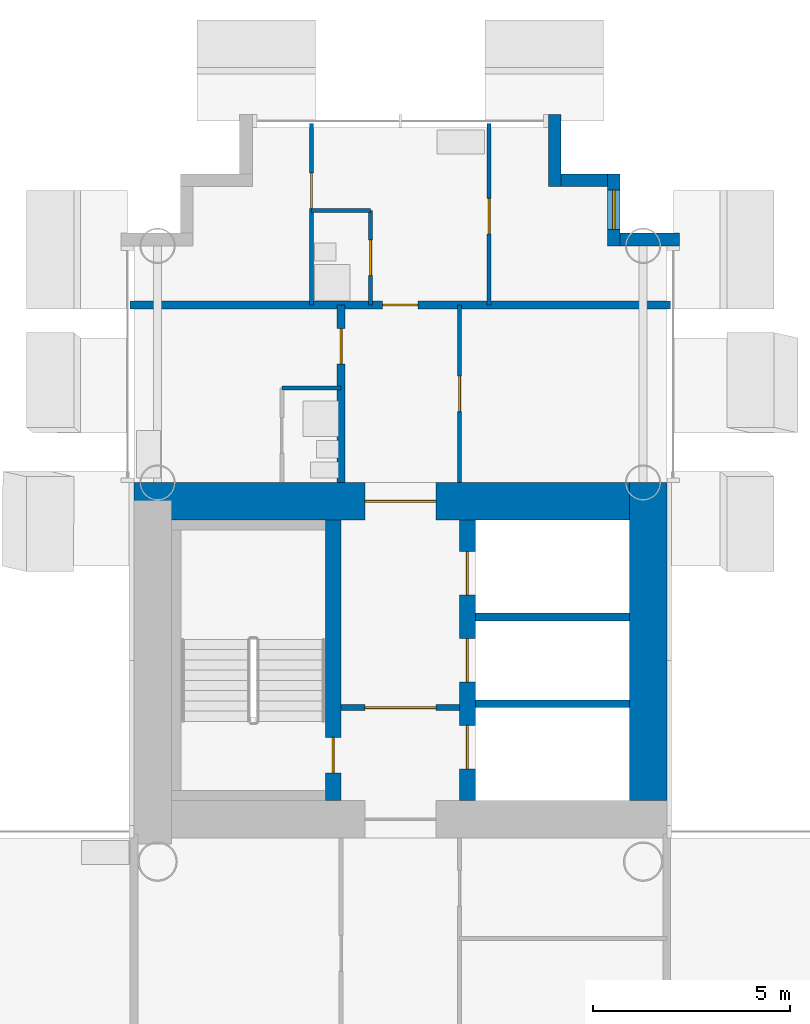
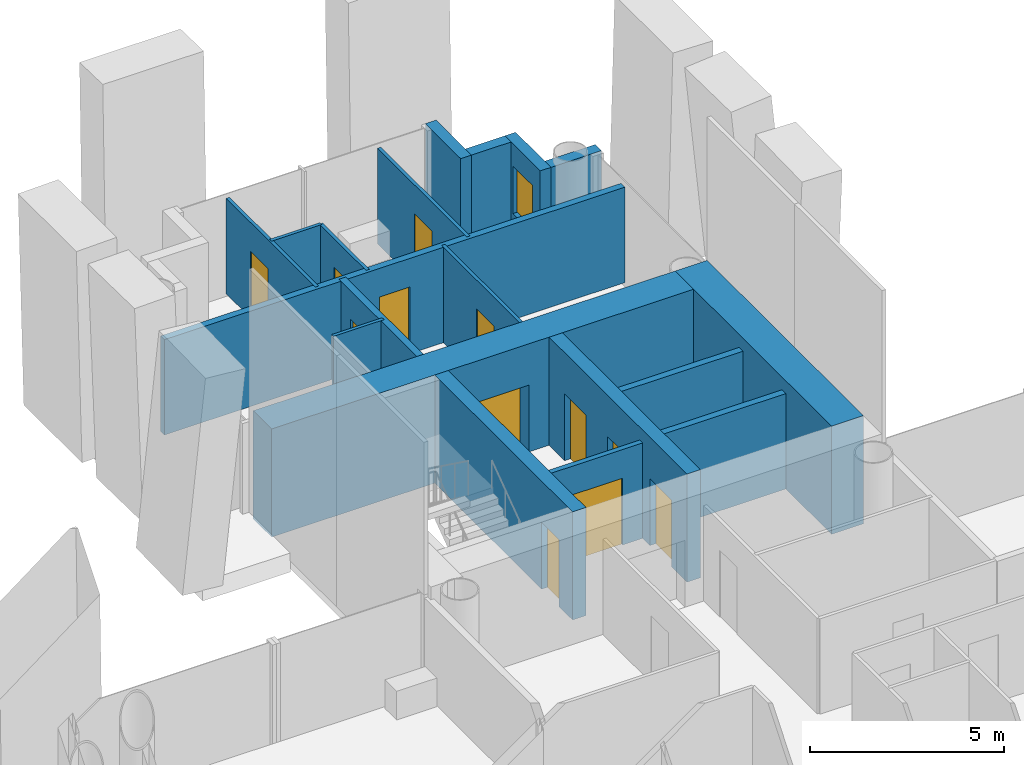
# One storey, part 13 of 20: 19 walls, 12 doors, 1 window, 13 openings.
"""IFC4 building model written with IfcOpenShell, lengths in metres."""

from ifc_helpers import new_model, si_unit, direction, frame, frame_2d, origin, place, context, subcontext, project, spatial, rectangle, extrude, material, layer, layer_set, type_object, element, fill, save


model = new_model("IFC4")

# Units and contexts
model_context = context("Model", 3, precision=1e-05, world=origin(), true_north=direction((0.0, 1.0)))
body_context = subcontext(model_context, "Body", "Model", "MODEL_VIEW")
ifc_project = project(units=[si_unit("LENGTHUNIT", "METRE"), si_unit("AREAUNIT", "SQUARE_METRE"), si_unit("VOLUMEUNIT", "CUBIC_METRE"), si_unit("PLANEANGLEUNIT", "RADIAN"), si_unit("MASSUNIT", "GRAM", prefix="KILO")], contexts=[model_context])

# Site, building, storey
site_placement = place(None, origin())
site = spatial("IfcSite", under=ifc_project, at=site_placement, CompositionType="ELEMENT")
building_placement = place(site_placement, origin())
building = spatial("IfcBuilding", under=site, at=building_placement, Name="Ipe Terrace Towers", CompositionType="ELEMENT")
storey_placement = place(building_placement, frame((0.0, 0.0, 120.800048828125)))
storey = spatial("IfcBuildingStorey", under=building, at=storey_placement, Name="L33", CompositionType="ELEMENT", Elevation=120.800048828125)

# Wall
ifc_material_1 = material(Name="Concrete C40/50 with buff precast cladding", Category="concrete")
ifc_layer_1 = layer(ifc_material_1, 0.320068359375)
ifc_layer_set_1 = layer_set([ifc_layer_1], Name="BUFF CLADDING WALL 320")
wall_type_1 = type_object("IfcWallType", Name="BUFF CLADDING WALL 320", PredefinedType="STANDARD", material=ifc_layer_set_1)
wall_1_placement = place(storey_placement, frame((43.070068359375, 21.909912109375, -0.300048828125), z_axis=(0.0, 0.0, 1.0), x_axis=(-1.0, 0.0, 0.0)))
element("IfcWall", 1, at=wall_1_placement, inside=storey, type_object=wall_type_1, Name="T2-W-L33-17a wall", PredefinedType="STANDARD", context=body_context, shape_type="SweptSolid", body=[
    extrude(rectangle(XDim=1.5, YDim=0.320068359375, at=frame_2d((0.75, 0.0))), origin(), (0.0, 0.0, 1.0), 3.39990234375),
])

# Wall, opening, window
wall_2_placement = place(storey_placement, frame((41.409912109375, 21.75, -0.300048828125), z_axis=(0.0, 0.0, 1.0), x_axis=(0.0, 1.0, 0.0)))
wall_2 = element("IfcWall", 2, at=wall_2_placement, inside=storey, type_object=wall_type_1, Name="T2-W-L33-18a wall", PredefinedType="STANDARD", context=body_context, shape_type="SweptSolid", body=[
    extrude(rectangle(XDim=1.820068359375, YDim=0.320068359375, at=frame_2d((0.91015625, 0.0))), origin(), (0.0, 0.0, 1.0), 3.39990234375),
])
opening_1_placement = place(wall_2_placement, frame((0.409912109375, 0.0, 1.199951171875)))
opening_1 = element("IfcOpeningElement", 3, at=opening_1_placement, cuts=wall_2, Name="Opening T2-W-05-L33-01", PredefinedType="OPENING", context=body_context, shape_type="SweptSolid", body=[
    extrude(rectangle(XDim=1.0, YDim=1.5, at=frame_2d((0.5, 0.75))), frame((0.0, 0.169921875, 0.0), z_axis=(0.0, -1.0, 0.0), x_axis=(1.0, 0.0, 0.0)), (0.0, 0.0, 1.0), 0.340087890625),
])
ifc_material_2 = material(Name="Glass, clear laminated", Category="glass")
window_type = type_object("IfcWindowType", Name="DWELLING WINDOW 1000 x 1500", PartitioningType="SINGLE_PANEL", PredefinedType="WINDOW", material=ifc_material_2)
window_placement = place(opening_1_placement, origin())
window = element("IfcWindow", 4, at=window_placement, inside=storey, type_object=window_type, Name="W-05 window", OverallHeight=1.5, OverallWidth=1.0, PartitioningType="SINGLE_PANEL", PredefinedType="WINDOW", context=body_context, shape_type="SweptSolid", body=[
    extrude(rectangle(XDim=1.0, YDim=1.5, at=frame_2d((0.5, 0.75))), frame((0.0, 0.030029296875, 0.0), z_axis=(0.0, -1.0, 0.0), x_axis=(1.0, 0.0, 0.0)), (0.0, 0.0, 1.0), 0.06005859375),
])
fill(opening_1, window)

# Walls
wall_3_placement = place(storey_placement, frame((41.25, 23.409912109375, -0.300048828125), z_axis=(0.0, 0.0, 1.0), x_axis=(-1.0, 0.0, 0.0)))
element("IfcWall", 5, at=wall_3_placement, inside=storey, type_object=wall_type_1, Name="T2-W-L33-19a wall", PredefinedType="STANDARD", context=body_context, shape_type="SweptSolid", body=[
    extrude(rectangle(XDim=1.179931640625, YDim=0.320068359375, at=frame_2d((0.58984375, 0.0))), origin(), (0.0, 0.0, 1.0), 3.39990234375),
])
wall_4_placement = place(storey_placement, frame((39.909912109375, 23.25, -0.300048828125), z_axis=(0.0, 0.0, 1.0), x_axis=(0.0, 1.0, 0.0)))
element("IfcWall", 6, at=wall_4_placement, inside=storey, type_object=wall_type_1, Name="T2-W-L33-20a wall", PredefinedType="STANDARD", context=body_context, shape_type="SweptSolid", body=[
    extrude(rectangle(XDim=1.820068359375, YDim=0.320068359375, at=frame_2d((0.91015625, 0.0))), origin(), (0.0, 0.0, 1.0), 3.39990234375),
])
ifc_material_3 = material(Name="Gypsum board partition", Category="plasterboard")
ifc_layer_2 = layer(ifc_material_3, 0.10009765625)
ifc_layer_set_2 = layer_set([ifc_layer_2], Name="Gypsum board partition 100 mm")
wall_type_2 = type_object("IfcWallType", Name="Gypsum board partition 100 mm", PredefinedType="PARTITIONING", material=ifc_layer_set_2)
for number, where, z_axis, x_axis, name in (
    (7, (34.5, 18.14990234375, 0.0), (0.0, 0.0, 1.0), (-1.0, 0.0, 0.0), "Gypsum board partition T2 L33 W15"),
    (8, (35.25, 22.64990234375, 0.0), (0.0, 0.0, 1.0), (-1.0, 0.0, 0.0), "Gypsum board partition T2 L33 W17"),
):
    element("IfcWall", number, at=place(storey_placement, frame(where, z_axis=z_axis, x_axis=x_axis)), inside=storey, type_object=wall_type_2, Name=name, PredefinedType="PARTITIONING", context=body_context, shape_type="SweptSolid", body=[
        extrude(rectangle(XDim=1.5, YDim=0.10009765625, at=frame_2d((0.75, 0.0))), origin(), (0.0, 0.0, 1.0), 3.0),
    ])

# Wall, opening, door
wall_5_placement = place(storey_placement, frame((38.25, 20.25, 0.0), z_axis=(0.0, 0.0, 1.0), x_axis=(0.0, 1.0, 0.0)))
wall_5 = element("IfcWall", 9, at=wall_5_placement, inside=storey, type_object=wall_type_2, Name="Gypsum board partition T2 L33 W25", PredefinedType="PARTITIONING", context=body_context, shape_type="SweptSolid", body=[
    extrude(rectangle(XDim=4.60009765625, YDim=0.10009765625, at=frame_2d((2.300048828125, 0.0))), origin(), (0.0, 0.0, 1.0), 3.0),
])
opening_2_placement = place(wall_5_placement, frame((1.800048828125, 0.0, 0.0)))
opening_2 = element("IfcOpeningElement", 10, at=opening_2_placement, cuts=wall_5, Name="Opening T2-Z2D-23", PredefinedType="OPENING", context=body_context, shape_type="SweptSolid", body=[
    extrude(rectangle(XDim=0.89990234375, YDim=2.10009765625, at=frame_2d((0.449951171875, 1.050048828125))), frame((0.0, 0.06005859375, 0.0), z_axis=(0.0, -1.0, 0.0), x_axis=(1.0, 0.0, 0.0)), (0.0, 0.0, 1.0), 0.1201171875),
])
ifc_material_4 = material(Name="Timber door leaf", Category="wood")
door_type_1 = type_object("IfcDoorType", Name="Bedroom door 900 x 2100", OperationType="NOTDEFINED", PredefinedType="DOOR", material=ifc_material_4)
door_1_placement = place(opening_2_placement, origin())
door_1 = element("IfcDoor", 11, at=door_1_placement, inside=storey, type_object=door_type_1, Name="Bedroom door T2-Z2D-23", OperationType="SINGLE_SWING_LEFT", OverallHeight=2.10009765625, OverallWidth=0.89990234375, PredefinedType="DOOR", context=body_context, shape_type="SweptSolid", body=[
    extrude(rectangle(XDim=0.89990234375, YDim=2.10009765625, at=frame_2d((0.449951171875, 1.050048828125))), frame((0.0, 0.02490234375, 0.0), z_axis=(0.0, -1.0, 0.0), x_axis=(1.0, 0.0, 0.0)), (0.0, 0.0, 1.0), 0.050048828125),
])
fill(opening_2, door_1)

wall_6_placement = place(storey_placement, frame((37.5, 15.75, 0.0), z_axis=(0.0, 0.0, 1.0), x_axis=(0.0, 1.0, 0.0)))
wall_6 = element("IfcWall", 12, at=wall_6_placement, inside=storey, type_object=wall_type_2, Name="Gypsum board partition T2 L33 W28", PredefinedType="PARTITIONING", context=body_context, shape_type="SweptSolid", body=[
    extrude(rectangle(XDim=4.5, YDim=0.10009765625, at=frame_2d((2.25, 0.0))), origin(), (0.0, 0.0, 1.0), 3.0),
])
opening_3_placement = place(wall_6_placement, frame((1.800048828125, 0.0, 0.0)))
opening_3 = element("IfcOpeningElement", 13, at=opening_3_placement, cuts=wall_6, Name="Opening T2-Z2D-19", PredefinedType="OPENING", context=body_context, shape_type="SweptSolid", body=[
    extrude(rectangle(XDim=0.89990234375, YDim=2.10009765625, at=frame_2d((0.449951171875, 1.050048828125))), frame((0.0, 0.06005859375, 0.0), z_axis=(0.0, -1.0, 0.0), x_axis=(1.0, 0.0, 0.0)), (0.0, 0.0, 1.0), 0.1201171875),
])
ifc_material_5 = material(Name="Timber door leaf", Category="wood")
door_type_2 = type_object("IfcDoorType", Name="Lounge door 900 x 2100", OperationType="NOTDEFINED", PredefinedType="DOOR", material=ifc_material_5)
door_2_placement = place(opening_3_placement, origin())
door_2 = element("IfcDoor", 14, at=door_2_placement, inside=storey, type_object=door_type_2, Name="Lounge door T2-Z2D-19", OperationType="SINGLE_SWING_RIGHT", OverallHeight=2.10009765625, OverallWidth=0.89990234375, PredefinedType="DOOR", context=body_context, shape_type="SweptSolid", body=[
    extrude(rectangle(XDim=0.89990234375, YDim=2.10009765625, at=frame_2d((0.449951171875, 1.050048828125))), frame((0.0, 0.02490234375, 0.0), z_axis=(0.0, -1.0, 0.0), x_axis=(1.0, 0.0, 0.0)), (0.0, 0.0, 1.0), 0.050048828125),
])
fill(opening_3, door_2)

wall_7_placement = place(storey_placement, frame((35.25, 20.25, 0.0), z_axis=(0.0, 0.0, 1.0), x_axis=(0.0, 1.0, 0.0)))
wall_7 = element("IfcWall", 15, at=wall_7_placement, inside=storey, type_object=wall_type_2, Name="Gypsum board partition T2 L33 W29", PredefinedType="PARTITIONING", context=body_context, shape_type="SweptSolid", body=[
    extrude(rectangle(XDim=2.39990234375, YDim=0.10009765625, at=frame_2d((1.199951171875, 0.0))), origin(), (0.0, 0.0, 1.0), 3.0),
])
opening_4_placement = place(wall_7_placement, frame((0.75, 0.0, 0.0)))
opening_4 = element("IfcOpeningElement", 16, at=opening_4_placement, cuts=wall_7, Name="Opening T2-Z2D-20", PredefinedType="OPENING", context=body_context, shape_type="SweptSolid", body=[
    extrude(rectangle(XDim=0.89990234375, YDim=2.10009765625, at=frame_2d((0.449951171875, 1.050048828125))), frame((0.0, 0.06005859375, 0.0), z_axis=(0.0, -1.0, 0.0), x_axis=(1.0, 0.0, 0.0)), (0.0, 0.0, 1.0), 0.1201171875),
])
ifc_material_6 = material(Name="Timber door leaf", Category="wood")
door_type_3 = type_object("IfcDoorType", Name="Bathroom door 900 x 2100", OperationType="NOTDEFINED", PredefinedType="DOOR", material=ifc_material_6)
door_3_placement = place(opening_4_placement, origin())
door_3 = element("IfcDoor", 17, at=door_3_placement, inside=storey, type_object=door_type_3, Name="Bathroom door T2-Z2D-20", OperationType="SINGLE_SWING_LEFT", OverallHeight=2.10009765625, OverallWidth=0.89990234375, PredefinedType="DOOR", context=body_context, shape_type="SweptSolid", body=[
    extrude(rectangle(XDim=0.89990234375, YDim=2.10009765625, at=frame_2d((0.449951171875, 1.050048828125))), frame((0.0, 0.02490234375, 0.0), z_axis=(0.0, -1.0, 0.0), x_axis=(1.0, 0.0, 0.0)), (0.0, 0.0, 1.0), 0.050048828125),
])
fill(opening_4, door_3)

wall_8_placement = place(storey_placement, frame((33.75, 20.25, 0.0), z_axis=(0.0, 0.0, 1.0), x_axis=(0.0, 1.0, 0.0)))
wall_8 = element("IfcWall", 18, at=wall_8_placement, inside=storey, type_object=wall_type_2, Name="Gypsum board partition T2 L33 W33", PredefinedType="PARTITIONING", context=body_context, shape_type="SweptSolid", body=[
    extrude(rectangle(XDim=4.60009765625, YDim=0.10009765625, at=frame_2d((2.300048828125, 0.0))), origin(), (0.0, 0.0, 1.0), 3.0),
])
opening_5_placement = place(wall_8_placement, frame((2.449951171875, 0.0, 0.0)))
opening_5 = element("IfcOpeningElement", 19, at=opening_5_placement, cuts=wall_8, Name="Opening T2-Z2D-22", PredefinedType="OPENING", context=body_context, shape_type="SweptSolid", body=[
    extrude(rectangle(XDim=0.89990234375, YDim=2.10009765625, at=frame_2d((0.449951171875, 1.050048828125))), frame((0.0, 0.06005859375, 0.0), z_axis=(0.0, -1.0, 0.0), x_axis=(1.0, 0.0, 0.0)), (0.0, 0.0, 1.0), 0.1201171875),
])
door_4_placement = place(opening_5_placement, origin())
door_4 = element("IfcDoor", 20, at=door_4_placement, inside=storey, type_object=door_type_2, Name="Lounge door T2-Z2D-22", OperationType="SINGLE_SWING_LEFT", OverallHeight=2.10009765625, OverallWidth=0.89990234375, PredefinedType="DOOR", context=body_context, shape_type="SweptSolid", body=[
    extrude(rectangle(XDim=0.89990234375, YDim=2.10009765625, at=frame_2d((0.449951171875, 1.050048828125))), frame((0.0, 0.02490234375, 0.0), z_axis=(0.0, -1.0, 0.0), x_axis=(1.0, 0.0, 0.0)), (0.0, 0.0, 1.0), 0.050048828125),
])
fill(opening_5, door_4)

ifc_material_7 = material(Name="Gypsum board partition", Category="plasterboard")
ifc_layer_3 = layer(ifc_material_7, 0.14990234375)
ifc_layer_set_3 = layer_set([ifc_layer_3], Name="Gypsum board partition 150 mm")
wall_type_3 = type_object("IfcWallType", Name="Gypsum board partition 150 mm", PredefinedType="PARTITIONING", material=ifc_layer_set_3)
wall_9_placement = place(storey_placement, frame((37.5, 10.050048828125, 0.0), z_axis=(0.0, 0.0, 1.0), x_axis=(-1.0, 0.0, 0.0)))
wall_9 = element("IfcWall", 21, at=wall_9_placement, inside=storey, type_object=wall_type_3, Name="Gypsum board partition T2 L33 t2c1-lobby-wall", PredefinedType="PARTITIONING", context=body_context, shape_type="SweptSolid", body=[
    extrude(rectangle(XDim=3.0, YDim=0.14990234375, at=frame_2d((1.5, 0.0))), origin(), (0.0, 0.0, 1.0), 3.0),
])
opening_6_placement = place(wall_9_placement, frame((0.60009765625, 0.0, 0.0)))
opening_6 = element("IfcOpeningElement", 22, at=opening_6_placement, cuts=wall_9, Name="Opening T2C1-VD", PredefinedType="OPENING", context=body_context, shape_type="SweptSolid", body=[
    extrude(rectangle(XDim=1.800048828125, YDim=2.10009765625, at=frame_2d((0.89990234375, 1.050048828125))), frame((0.0, 0.0849609375, 0.0), z_axis=(0.0, -1.0, 0.0), x_axis=(1.0, 0.0, 0.0)), (0.0, 0.0, 1.0), 0.169921875),
])
ifc_material_8 = material(Name="Fire-rated timber door leaf", Category="wood")
door_type_4 = type_object("IfcDoorType", Name="Lobby door 1800 x 2100 FD60", OperationType="NOTDEFINED", PredefinedType="DOOR", material=ifc_material_8)
door_5_placement = place(opening_6_placement, origin())
door_5 = element("IfcDoor", 23, at=door_5_placement, inside=storey, type_object=door_type_4, Name="Lobby door T2C1-VD", OperationType="SINGLE_SWING_LEFT", OverallHeight=2.10009765625, OverallWidth=1.800048828125, PredefinedType="DOOR", context=body_context, shape_type="SweptSolid", body=[
    extrude(rectangle(XDim=1.800048828125, YDim=2.10009765625, at=frame_2d((0.89990234375, 1.050048828125))), frame((0.0, 0.02490234375, 0.0), z_axis=(0.0, -1.0, 0.0), x_axis=(1.0, 0.0, 0.0)), (0.0, 0.0, 1.0), 0.050048828125),
])
fill(opening_6, door_5)

# Walls
ifc_material_9 = material(Name="Gypsum board party wall", Category="plasterboard")
ifc_layer_4 = layer(ifc_material_9, 0.199951171875)
ifc_layer_set_4 = layer_set([ifc_layer_4], Name="Gypsum board party wall 200 mm")
wall_type_4 = type_object("IfcWallType", Name="Gypsum board party wall 200 mm", PredefinedType="SOLIDWALL", material=ifc_layer_set_4)
for number, where, z_axis, x_axis, name in (
    (24, (41.800048828125, 10.14990234375, 0.0), (0.0, 0.0, 1.0), (-1.0, 0.0, 0.0), "Gypsum board party wall T2 L33 t2c1-shaft-div1"),
    (25, (41.800048828125, 12.35009765625, 0.0), (0.0, 0.0, 1.0), (-1.0, 0.0, 0.0), "Gypsum board party wall T2 L33 t2c1-shaft-div2"),
):
    element("IfcWall", number, at=place(storey_placement, frame(where, z_axis=z_axis, x_axis=x_axis)), inside=storey, type_object=wall_type_4, Name=name, PredefinedType="SOLIDWALL", context=body_context, shape_type="SweptSolid", body=[
        extrude(rectangle(XDim=3.900146484375, YDim=0.199951171875, at=frame_2d((1.9501953125, 0.0))), origin(), (0.0, 0.0, 1.0), 3.0),
    ])

# Wall, opening, door
wall_10_placement = place(storey_placement, frame((42.85009765625, 20.25, 0.0), z_axis=(0.0, 0.0, 1.0), x_axis=(-1.0, 0.0, 0.0)))
wall_10 = element("IfcWall", 26, at=wall_10_placement, inside=storey, type_object=wall_type_4, Name="Gypsum board party wall T2 L33 W16", PredefinedType="SOLIDWALL", context=body_context, shape_type="SweptSolid", body=[
    extrude(rectangle(XDim=13.7001953125, YDim=0.199951171875, at=frame_2d((6.85009765625, 0.0))), origin(), (0.0, 0.0, 1.0), 3.0),
])
opening_7_placement = place(wall_10_placement, frame((6.39990234375, 0.0, 0.0)))
opening_7 = element("IfcOpeningElement", 27, at=opening_7_placement, cuts=wall_10, Name="Opening T2-Z2D-21", PredefinedType="OPENING", context=body_context, shape_type="SweptSolid", body=[
    extrude(rectangle(XDim=0.89990234375, YDim=2.10009765625, at=frame_2d((0.449951171875, 1.050048828125))), frame((0.0, 0.10986328125, 0.0), z_axis=(0.0, -1.0, 0.0), x_axis=(1.0, 0.0, 0.0)), (0.0, 0.0, 1.0), 0.219970703125),
])
ifc_material_10 = material(Name="Fire-rated timber door leaf", Category="wood")
door_type_5 = type_object("IfcDoorType", Name="Flat entrance door 900 x 2100 FD30S", OperationType="NOTDEFINED", PredefinedType="DOOR", material=ifc_material_10)
door_6_placement = place(opening_7_placement, origin())
door_6 = element("IfcDoor", 28, at=door_6_placement, inside=storey, type_object=door_type_5, Name="Flat entrance door T2-Z2D-21", OperationType="SINGLE_SWING_RIGHT", OverallHeight=2.10009765625, OverallWidth=0.89990234375, PredefinedType="DOOR", context=body_context, shape_type="SweptSolid", body=[
    extrude(rectangle(XDim=0.89990234375, YDim=2.10009765625, at=frame_2d((0.449951171875, 1.050048828125))), frame((0.0, 0.02490234375, 0.0), z_axis=(0.0, -1.0, 0.0), x_axis=(1.0, 0.0, 0.0)), (0.0, 0.0, 1.0), 0.050048828125),
])
fill(opening_7, door_6)

wall_11_placement = place(storey_placement, frame((34.5, 15.75, 0.0), z_axis=(0.0, 0.0, 1.0), x_axis=(0.0, 1.0, 0.0)))
wall_11 = element("IfcWall", 29, at=wall_11_placement, inside=storey, type_object=wall_type_4, Name="Gypsum board party wall T2 L33 W32", PredefinedType="SOLIDWALL", context=body_context, shape_type="SweptSolid", body=[
    extrude(rectangle(XDim=4.5, YDim=0.199951171875, at=frame_2d((2.25, 0.0))), origin(), (0.0, 0.0, 1.0), 3.0),
])
opening_8_placement = place(wall_11_placement, frame((3.0, 0.0, 0.0)))
opening_8 = element("IfcOpeningElement", 30, at=opening_8_placement, cuts=wall_11, Name="Opening T2-Z2D-17", PredefinedType="OPENING", context=body_context, shape_type="SweptSolid", body=[
    extrude(rectangle(XDim=0.89990234375, YDim=2.10009765625, at=frame_2d((0.449951171875, 1.050048828125))), frame((0.0, 0.10986328125, 0.0), z_axis=(0.0, -1.0, 0.0), x_axis=(1.0, 0.0, 0.0)), (0.0, 0.0, 1.0), 0.219970703125),
])
door_7_placement = place(opening_8_placement, origin())
door_7 = element("IfcDoor", 31, at=door_7_placement, inside=storey, type_object=door_type_5, Name="Flat entrance door T2-Z2D-17", OperationType="SINGLE_SWING_LEFT", OverallHeight=2.10009765625, OverallWidth=0.89990234375, PredefinedType="DOOR", context=body_context, shape_type="SweptSolid", body=[
    extrude(rectangle(XDim=0.89990234375, YDim=2.10009765625, at=frame_2d((0.449951171875, 1.050048828125))), frame((0.0, 0.02490234375, 0.0), z_axis=(0.0, -1.0, 0.0), x_axis=(1.0, 0.0, 0.0)), (0.0, 0.0, 1.0), 0.050048828125),
])
fill(opening_8, door_7)

ifc_material_11 = material(Name="Concrete C50/60", Category="concrete")
ifc_layer_5 = layer(ifc_material_11, 0.39990234375)
ifc_layer_set_5 = layer_set([ifc_layer_5], Name="RW400 CORE SPINE WALL 400 C50-60")
wall_type_5 = type_object("IfcWallType", Name="RW400 CORE SPINE WALL 400 C50-60", PredefinedType="SHEAR", material=ifc_layer_set_5)
wall_12_placement = place(storey_placement, frame((34.300048828125, 7.699951171875, 0.0), z_axis=(0.0, 0.0, 1.0), x_axis=(0.0, 1.0, 0.0)))
wall_12 = element("IfcWall", 32, at=wall_12_placement, inside=storey, type_object=wall_type_5, Name="Core spine wall T2-C1-Z2-SW1", PredefinedType="SHEAR", context=body_context, shape_type="SweptSolid", body=[
    extrude(rectangle(XDim=7.10009765625, YDim=0.39990234375, at=frame_2d((3.550048828125, 0.0))), origin(), (0.0, 0.0, 1.0), 3.39990234375),
])
opening_9_placement = place(wall_12_placement, frame((0.699951171875, 0.0, 0.0)))
opening_9 = element("IfcOpeningElement", 33, at=opening_9_placement, cuts=wall_12, Name="Opening T2C1-SD", PredefinedType="OPENING", context=body_context, shape_type="SweptSolid", body=[
    extrude(rectangle(XDim=0.89990234375, YDim=2.10009765625, at=frame_2d((0.449951171875, 1.050048828125))), frame((0.0, 0.2099609375, 0.0), z_axis=(0.0, -1.0, 0.0), x_axis=(1.0, 0.0, 0.0)), (0.0, 0.0, 1.0), 0.419921875),
])
ifc_material_12 = material(Name="Fire-rated timber door leaf", Category="wood")
door_type_6 = type_object("IfcDoorType", Name="Stair door 900 x 2100 FD60", OperationType="NOTDEFINED", PredefinedType="DOOR", material=ifc_material_12)
door_8_placement = place(opening_9_placement, origin())
door_8 = element("IfcDoor", 34, at=door_8_placement, inside=storey, type_object=door_type_6, Name="Stair door T2C1-SD", OperationType="SINGLE_SWING_LEFT", OverallHeight=2.10009765625, OverallWidth=0.89990234375, PredefinedType="DOOR", context=body_context, shape_type="SweptSolid", body=[
    extrude(rectangle(XDim=0.89990234375, YDim=2.10009765625, at=frame_2d((0.449951171875, 1.050048828125))), frame((0.0, 0.02490234375, 0.0), z_axis=(0.0, -1.0, 0.0), x_axis=(1.0, 0.0, 0.0)), (0.0, 0.0, 1.0), 0.050048828125),
])
fill(opening_9, door_8)

# Wall, openings, doors
wall_13_placement = place(storey_placement, frame((37.699951171875, 7.699951171875, 0.0), z_axis=(0.0, 0.0, 1.0), x_axis=(0.0, 1.0, 0.0)))
wall_13 = element("IfcWall", 35, at=wall_13_placement, inside=storey, type_object=wall_type_5, Name="Core spine wall T2-C1-Z2-SW2", PredefinedType="SHEAR", context=body_context, shape_type="SweptSolid", body=[
    extrude(rectangle(XDim=7.10009765625, YDim=0.39990234375, at=frame_2d((3.550048828125, 0.0))), origin(), (0.0, 0.0, 1.0), 3.39990234375),
])
opening_10_placement = place(wall_13_placement, frame((0.800048828125, 0.0, 0.0)))
opening_10 = element("IfcOpeningElement", 36, at=opening_10_placement, cuts=wall_13, Name="Opening T2C1-LD1", PredefinedType="OPENING", context=body_context, shape_type="SweptSolid", body=[
    extrude(rectangle(XDim=1.10009765625, YDim=2.10009765625, at=frame_2d((0.550048828125, 1.050048828125))), frame((0.0, 0.2099609375, 0.0), z_axis=(0.0, -1.0, 0.0), x_axis=(1.0, 0.0, 0.0)), (0.0, 0.0, 1.0), 0.419921875),
])
opening_11_placement = place(wall_13_placement, frame((3.0, 0.0, 0.0)))
opening_11 = element("IfcOpeningElement", 37, at=opening_11_placement, cuts=wall_13, Name="Opening T2C1-LD2", PredefinedType="OPENING", context=body_context, shape_type="SweptSolid", body=[
    extrude(rectangle(XDim=1.10009765625, YDim=2.10009765625, at=frame_2d((0.550048828125, 1.050048828125))), frame((0.0, 0.2099609375, 0.0), z_axis=(0.0, -1.0, 0.0), x_axis=(1.0, 0.0, 0.0)), (0.0, 0.0, 1.0), 0.419921875),
])
opening_12_placement = place(wall_13_placement, frame((5.199951171875, 0.0, 0.0)))
opening_12 = element("IfcOpeningElement", 38, at=opening_12_placement, cuts=wall_13, Name="Opening T2C1-LD3", PredefinedType="OPENING", context=body_context, shape_type="SweptSolid", body=[
    extrude(rectangle(XDim=1.10009765625, YDim=2.10009765625, at=frame_2d((0.550048828125, 1.050048828125))), frame((0.0, 0.2099609375, 0.0), z_axis=(0.0, -1.0, 0.0), x_axis=(1.0, 0.0, 0.0)), (0.0, 0.0, 1.0), 0.419921875),
])
ifc_material_13 = material(Name="Fire-rated timber door leaf", Category="wood")
door_type_7 = type_object("IfcDoorType", Name="Sliding door 1100 x 2100 FD60", OperationType="SLIDING_TO_LEFT", PredefinedType="DOOR", material=ifc_material_13)
door_9_placement = place(opening_10_placement, origin())
door_9 = element("IfcDoor", 39, at=door_9_placement, inside=storey, type_object=door_type_7, Name="Sliding door T2C1-LD1", OperationType="SLIDING_TO_LEFT", OverallHeight=2.10009765625, OverallWidth=1.10009765625, PredefinedType="DOOR", context=body_context, shape_type="SweptSolid", body=[
    extrude(rectangle(XDim=1.10009765625, YDim=2.10009765625, at=frame_2d((0.550048828125, 1.050048828125))), frame((0.0, 0.02490234375, 0.0), z_axis=(0.0, -1.0, 0.0), x_axis=(1.0, 0.0, 0.0)), (0.0, 0.0, 1.0), 0.050048828125),
])
fill(opening_10, door_9)
door_10_placement = place(opening_11_placement, origin())
door_10 = element("IfcDoor", 40, at=door_10_placement, inside=storey, type_object=door_type_7, Name="Sliding door T2C1-LD2", OperationType="SLIDING_TO_LEFT", OverallHeight=2.10009765625, OverallWidth=1.10009765625, PredefinedType="DOOR", context=body_context, shape_type="SweptSolid", body=[
    extrude(rectangle(XDim=1.10009765625, YDim=2.10009765625, at=frame_2d((0.550048828125, 1.050048828125))), frame((0.0, 0.02490234375, 0.0), z_axis=(0.0, -1.0, 0.0), x_axis=(1.0, 0.0, 0.0)), (0.0, 0.0, 1.0), 0.050048828125),
])
fill(opening_11, door_10)
door_11_placement = place(opening_12_placement, origin())
door_11 = element("IfcDoor", 41, at=door_11_placement, inside=storey, type_object=door_type_7, Name="Sliding door T2C1-LD3", OperationType="SLIDING_TO_LEFT", OverallHeight=2.10009765625, OverallWidth=1.10009765625, PredefinedType="DOOR", context=body_context, shape_type="SweptSolid", body=[
    extrude(rectangle(XDim=1.10009765625, YDim=2.10009765625, at=frame_2d((0.550048828125, 1.050048828125))), frame((0.0, 0.02490234375, 0.0), z_axis=(0.0, -1.0, 0.0), x_axis=(1.0, 0.0, 0.0)), (0.0, 0.0, 1.0), 0.050048828125),
])
fill(opening_12, door_11)

# Wall
ifc_material_14 = material(Name="Concrete C50/60", Category="concrete")
ifc_layer_6 = layer(ifc_material_14, 0.949951171875)
ifc_layer_set_6 = layer_set([ifc_layer_6], Name="RW950 CORE WALL 950 C50-60")
wall_type_6 = type_object("IfcWallType", Name="RW950 CORE WALL 950 C50-60", PredefinedType="SHEAR", material=ifc_layer_set_6)
wall_14_placement = place(storey_placement, frame((42.27490234375, 7.699951171875, 0.0), z_axis=(0.0, 0.0, 1.0), x_axis=(0.0, 1.0, 0.0)))
element("IfcWall", 42, at=wall_14_placement, inside=storey, type_object=wall_type_6, Name="Core wall T2-C1-Z2-W02", PredefinedType="SHEAR", context=body_context, shape_type="SweptSolid", body=[
    extrude(rectangle(XDim=8.050048828125, YDim=0.949951171875, at=frame_2d((4.02490234375, 0.0))), origin(), (0.0, 0.0, 1.0), 3.39990234375),
])

# Wall, opening, door
wall_15_placement = place(storey_placement, frame((41.800048828125, 15.27490234375, 0.0), z_axis=(0.0, 0.0, 1.0), x_axis=(-1.0, 0.0, 0.0)))
wall_15 = element("IfcWall", 43, at=wall_15_placement, inside=storey, type_object=wall_type_6, Name="Core wall T2-C1-Z2-W03", PredefinedType="SHEAR", context=body_context, shape_type="SweptSolid", body=[
    extrude(rectangle(XDim=12.550048828125, YDim=0.949951171875, at=frame_2d((6.27490234375, 0.0))), origin(), (0.0, 0.0, 1.0), 3.39990234375),
])
opening_13_placement = place(wall_15_placement, frame((4.89990234375, 0.0, 0.0)))
opening_13 = element("IfcOpeningElement", 44, at=opening_13_placement, cuts=wall_15, Name="Opening T2C1-FD", PredefinedType="OPENING", context=body_context, shape_type="SweptSolid", body=[
    extrude(rectangle(XDim=1.800048828125, YDim=2.10009765625, at=frame_2d((0.89990234375, 1.050048828125))), frame((0.0, 0.48486328125, 0.0), z_axis=(0.0, -1.0, 0.0), x_axis=(1.0, 0.0, 0.0)), (0.0, 0.0, 1.0), 0.969970703125),
])
ifc_material_15 = material(Name="Fire-rated timber door leaf", Category="wood")
door_type_8 = type_object("IfcDoorType", Name="Fire door 1800 x 2100 FD30S", OperationType="NOTDEFINED", PredefinedType="DOOR", material=ifc_material_15)
door_12_placement = place(opening_13_placement, origin())
door_12 = element("IfcDoor", 45, at=door_12_placement, inside=storey, type_object=door_type_8, Name="Fire door T2C1-FD", OperationType="SINGLE_SWING_LEFT", OverallHeight=2.10009765625, OverallWidth=1.800048828125, PredefinedType="DOOR", context=body_context, shape_type="SweptSolid", body=[
    extrude(rectangle(XDim=1.800048828125, YDim=2.10009765625, at=frame_2d((0.89990234375, 1.050048828125))), frame((0.0, 0.02490234375, 0.0), z_axis=(0.0, -1.0, 0.0), x_axis=(1.0, 0.0, 0.0)), (0.0, 0.0, 1.0), 0.050048828125),
])
fill(opening_13, door_12)

save(model, "model.ifc")
